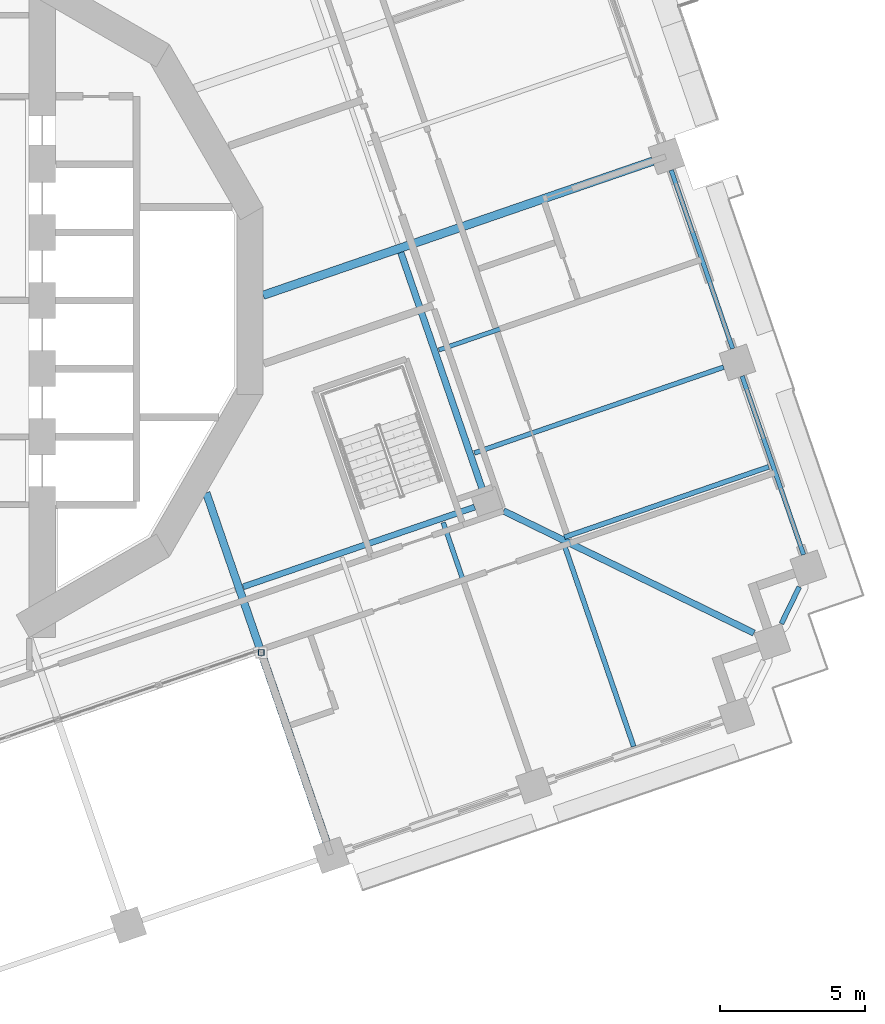
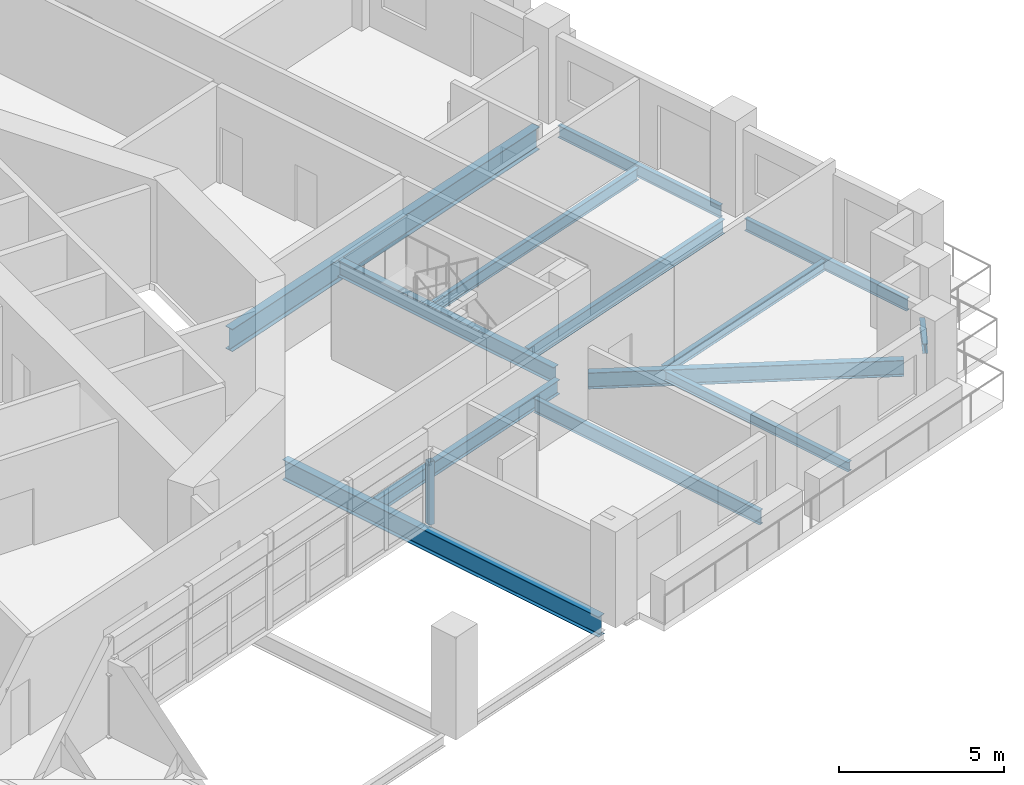
# One storey, part 5 of 22: 13 beams, 1 member.
"""IFC4 building model written with IfcOpenShell, lengths in metres."""

from ifc_helpers import new_model, si_unit, direction, frame, origin, origin_2d, place, context, subcontext, project, spatial, hollow_rectangle, i_section, extrude, material, material_profile, profile_set, type_object, element, save


model = new_model("IFC4")

# Units and contexts
model_context = context("Model", 3, precision=1e-05, world=origin(), true_north=direction((0.0, 1.0)))
body_context = subcontext(model_context, "Body", "Model", "MODEL_VIEW")
ifc_project = project(units=[si_unit("LENGTHUNIT", "METRE"), si_unit("AREAUNIT", "SQUARE_METRE"), si_unit("VOLUMEUNIT", "CUBIC_METRE"), si_unit("PLANEANGLEUNIT", "RADIAN"), si_unit("MASSUNIT", "GRAM", prefix="KILO")], contexts=[model_context])

# Site, building, storey
site_placement = place(None, origin())
site = spatial("IfcSite", under=ifc_project, at=site_placement, CompositionType="ELEMENT")
building_placement = place(site_placement, origin())
building = spatial("IfcBuilding", under=site, at=building_placement, Name="Cantera Rosa Tower", CompositionType="ELEMENT")
storey_placement = place(building_placement, frame((0.0, 0.0, 107.89990234375)))
storey = spatial("IfcBuildingStorey", under=building, at=storey_placement, Name="L21", CompositionType="ELEMENT", Elevation=107.89990234375)

# Member
ifc_material_1 = material(Name="Steel ASTM A992 (Fy 345 MPa)", Category="steel")
ifc_material_profile_1 = material_profile(ifc_material_1, hollow_rectangle(XDim=0.199951171875, YDim=0.199951171875, WallThickness=0.010009765625, at=origin_2d()), Name="LINTEL POST RHS 200x200x10")
ifc_profile_set_1 = profile_set([ifc_material_profile_1], Name="Steel ASTM A992 (Fy 345 MPa)")
member_type = type_object("IfcMemberType", Name="LINTEL POST RHS 200x200x10", PredefinedType="USERDEFINED", material=ifc_profile_set_1)
member_placement = place(storey_placement, frame((12.010498046875, -12.15185546875, 0.0), z_axis=(0.0, 0.0, 1.0), x_axis=(1.0, 0.0, 0.0)))
element("IfcMember", 1, at=member_placement, inside=storey, type_object=member_type, Name="LINTEL POST L21-2", ObjectType="LINTEL POST", PredefinedType="USERDEFINED", context=body_context, shape_type="SweptSolid", body=[
    extrude(hollow_rectangle(XDim=0.199951171875, YDim=0.199951171875, WallThickness=0.010009765625, at=origin_2d()), origin(), (0.0, 0.0, 1.0), 2.340087890625),
])

# Beams
ifc_material_2 = material(Name="Steel ASTM A992 (Fy 345 MPa)", Category="steel")
ifc_material_profile_2 = material_profile(ifc_material_2, i_section(OverallWidth=0.166015625, OverallDepth=0.528076171875, WebThickness=0.009765625, FlangeThickness=0.013671875, FilletRadius=0.0126953125, at=origin_2d()), Name="W530X74")
ifc_profile_set_2 = profile_set([ifc_material_profile_2], Name="Steel ASTM A992 (Fy 345 MPa)")
beam_type_1 = type_object("IfcBeamType", Name="STEEL BEAM W530X74", PredefinedType="BEAM", material=ifc_profile_set_2)
for number, where, z_axis, x_axis, name in (
    (2, (27.97216796875, -2.29833984375, -0.513916015625), (-0.94551971591, -0.325564842737, 0.0), (0.325564842737, -0.94551971591, 0.0), "G-Z2-01 L21"),
    (3, (21.25390625, -16.2666015625, -0.513916015625), (-0.325564842737, 0.94551971591, 0.0), (-0.94551971591, -0.325564842737, 0.0), "G-Z2-14 L21"),
):
    element("IfcBeam", number, at=place(storey_placement, frame(where, z_axis=z_axis, x_axis=x_axis)), inside=storey, type_object=beam_type_1, Name=name, PredefinedType="BEAM", context=body_context, shape_type="SweptSolid", body=[
        extrude(i_section(OverallWidth=0.166015625, OverallDepth=0.528076171875, WebThickness=0.009765625, FlangeThickness=0.013671875, FilletRadius=0.0126953125, at=origin_2d()), origin(), (0.0, 0.0, 1.0), 9.10009765625),
    ])
ifc_material_3 = material(Name="Steel ASTM A992 (Fy 345 MPa)", Category="steel")
ifc_material_profile_3 = material_profile(ifc_material_3, i_section(OverallWidth=0.208984375, OverallDepth=0.532958984375, WebThickness=0.01025390625, FlangeThickness=0.015625, FilletRadius=0.0126953125, at=origin_2d()), Name="W530X92")
ifc_profile_set_3 = profile_set([ifc_material_profile_3], Name="Steel ASTM A992 (Fy 345 MPa)")
beam_type_2 = type_object("IfcBeamType", Name="STEEL BEAM W530X92", PredefinedType="BEAM", material=ifc_profile_set_3)
beam_1_placement = place(storey_placement, frame((11.387451171875, -9.880859375, -0.516357421875), z_axis=(0.945519653071, 0.325565025235, 0.0), x_axis=(-0.325565025235, 0.945519653071, 0.0)))
element("IfcBeam", 4, at=beam_1_placement, inside=storey, type_object=beam_type_2, Name="RB-Z2-08 L21", PredefinedType="BEAM", context=body_context, shape_type="SweptSolid", body=[
    extrude(i_section(OverallWidth=0.208984375, OverallDepth=0.532958984375, WebThickness=0.01025390625, FlangeThickness=0.015625, FilletRadius=0.0126953125, at=origin_2d()), origin(), (0.0, 0.0, 1.0), 8.449951171875),
])
ifc_material_4 = material(Name="Steel ASTM A992 (Fy 345 MPa)", Category="steel")
ifc_material_profile_4 = material_profile(ifc_material_4, i_section(OverallWidth=0.22802734375, OverallDepth=0.60205078125, WebThickness=0.010498046875, FlangeThickness=0.014892578125, FilletRadius=0.0126953125, at=origin_2d()), Name="W610X101")
ifc_profile_set_4 = profile_set([ifc_material_profile_4], Name="Steel ASTM A992 (Fy 345 MPa)")
beam_type_3 = type_object("IfcBeamType", Name="STEEL BEAM W610X101", PredefinedType="BEAM", material=ifc_profile_set_4)
beam_2_placement = place(storey_placement, frame((29.017822265625, -11.47802734375, -0.55078125), z_axis=(-0.898796015179, 0.438367109965, 0.0), x_axis=(-0.438367109965, -0.898796015179, 0.0)))
element("IfcBeam", 5, at=beam_2_placement, inside=storey, type_object=beam_type_3, Name="CB-Z2-04 L21", PredefinedType="BEAM", context=body_context, shape_type="SweptSolid", body=[
    extrude(i_section(OverallWidth=0.22802734375, OverallDepth=0.60205078125, WebThickness=0.010498046875, FlangeThickness=0.014892578125, FilletRadius=0.0126953125, at=origin_2d()), origin(), (0.0, 0.0, 1.0), 9.616455078125),
])
beam_3_placement = place(storey_placement, frame((19.656005859375, -6.557861328125, -0.55078125), z_axis=(-0.325584584945, 0.945512917969, 0.0), x_axis=(-0.945512917969, -0.325584584945, 0.0)))
element("IfcBeam", 6, at=beam_3_placement, inside=storey, type_object=beam_type_3, Name="RB-Z2-09 L21", PredefinedType="BEAM", context=body_context, shape_type="SweptSolid", body=[
    extrude(i_section(OverallWidth=0.22802734375, OverallDepth=0.60205078125, WebThickness=0.010498046875, FlangeThickness=0.014892578125, FilletRadius=0.0126953125, at=origin_2d()), origin(), (0.0, 0.0, 1.0), 8.68994140625),
])
ifc_material_5 = material(Name="Steel ASTM A992 (Fy 345 MPa)", Category="steel")
ifc_material_profile_5 = material_profile(ifc_material_5, i_section(OverallWidth=0.26708984375, OverallDepth=0.75390625, WebThickness=0.01318359375, FlangeThickness=0.01708984375, FilletRadius=0.0166015625, at=origin_2d()), Name="W760X147")
ifc_profile_set_5 = profile_set([ifc_material_profile_5], Name="Steel ASTM A992 (Fy 345 MPa)")
beam_type_4 = type_object("IfcBeamType", Name="STEEL BEAM W760X147", PredefinedType="BEAM", material=ifc_profile_set_5)
beam_4_placement = place(storey_placement, frame((14.257080078125, -18.67578125, -0.626953125), z_axis=(-0.325575880476, 0.945515915282, 0.0), x_axis=(-0.945515915282, -0.325575880476, 0.0)))
element("IfcBeam", 7, at=beam_4_placement, inside=storey, type_object=beam_type_4, Name="G-Z2-13 L21", PredefinedType="BEAM", context=body_context, shape_type="SweptSolid", body=[
    extrude(i_section(OverallWidth=0.26708984375, OverallDepth=0.75390625, WebThickness=0.01318359375, FlangeThickness=0.01708984375, FilletRadius=0.0166015625, at=origin_2d()), origin(), (0.0, 0.0, 1.0), 12.734375),
])
ifc_material_6 = material(Name="Steel ASTM A992 (Fy 345 MPa)", Category="steel")
ifc_material_profile_6 = material_profile(ifc_material_6, i_section(OverallWidth=0.2919921875, OverallDepth=0.8359375, WebThickness=0.013916015625, FlangeThickness=0.018798828125, FilletRadius=0.017822265625, at=origin_2d()), Name="W840X176")
ifc_profile_set_6 = profile_set([ifc_material_profile_6], Name="Steel ASTM A992 (Fy 345 MPa)")
beam_type_5 = type_object("IfcBeamType", Name="STEEL BEAM W840X176", PredefinedType="BEAM", material=ifc_profile_set_6)
beam_5_placement = place(storey_placement, frame((25.52392578125, 4.81201171875, -0.66796875), z_axis=(-0.945515154884, -0.325578088765, 0.0), x_axis=(0.325578088765, -0.945515154884, 0.0)))
element("IfcBeam", 8, at=beam_5_placement, inside=storey, type_object=beam_type_5, Name="G-Z2-02 L21", PredefinedType="BEAM", context=body_context, shape_type="SweptSolid", body=[
    extrude(i_section(OverallWidth=0.2919921875, OverallDepth=0.8359375, WebThickness=0.013916015625, FlangeThickness=0.018798828125, FilletRadius=0.017822265625, at=origin_2d()), origin(), (0.0, 0.0, 1.0), 14.22509765625),
])
ifc_material_7 = material(Name="Steel ASTM A992 (Fy 345 MPa)", Category="steel")
ifc_material_profile_7 = material_profile(ifc_material_7, i_section(OverallWidth=0.1708984375, OverallDepth=0.35595703125, WebThickness=0.00732421875, FlangeThickness=0.01171875, FilletRadius=0.010009765625, at=origin_2d()), Name="W360X51")
ifc_profile_set_7 = profile_set([ifc_material_profile_7], Name="Steel ASTM A992 (Fy 345 MPa)")
beam_type_6 = type_object("IfcBeamType", Name="STEEL JOIST W360X51", PredefinedType="JOIST", material=ifc_profile_set_7)
beam_6_placement = place(storey_placement, frame((29.52734375, -5.739501953125, -0.427978515625), z_axis=(-0.945521732807, -0.325558985116, 0.0), x_axis=(0.325558985116, -0.945521732807, 0.0)))
element("IfcBeam", 9, at=beam_6_placement, inside=storey, type_object=beam_type_6, Name="B-Z2-01 L21", PredefinedType="JOIST", context=body_context, shape_type="SweptSolid", body=[
    extrude(i_section(OverallWidth=0.1708984375, OverallDepth=0.35595703125, WebThickness=0.00732421875, FlangeThickness=0.01171875, FilletRadius=0.010009765625, at=origin_2d()), origin(), (0.0, 0.0, 1.0), 7.460205078125),
])
beam_7_placement = place(storey_placement, frame((24.8662109375, -15.39306640625, -0.427978515625), z_axis=(-0.325565645331, 0.945519439557, 0.0), x_axis=(-0.945519439557, -0.325565645331, 0.0)))
element("IfcBeam", 10, at=beam_7_placement, inside=storey, type_object=beam_type_6, Name="B-Z2-17 L21", PredefinedType="JOIST", context=body_context, shape_type="SweptSolid", body=[
    extrude(i_section(OverallWidth=0.1708984375, OverallDepth=0.35595703125, WebThickness=0.00732421875, FlangeThickness=0.01171875, FilletRadius=0.010009765625, at=origin_2d()), origin(), (0.0, 0.0, 1.0), 7.39990234375),
])
ifc_material_8 = material(Name="Steel ASTM A992 (Fy 345 MPa)", Category="steel")
ifc_material_profile_8 = material_profile(ifc_material_8, i_section(OverallWidth=0.154052734375, OverallDepth=0.4599609375, WebThickness=0.009033203125, FlangeThickness=0.015380859375, FilletRadius=0.01025390625, at=origin_2d()), Name="W460X68")
ifc_profile_set_8 = profile_set([ifc_material_profile_8], Name="Steel ASTM A992 (Fy 345 MPa)")
beam_type_7 = type_object("IfcBeamType", Name="STEEL JOIST W460X68", PredefinedType="JOIST", material=ifc_profile_set_8)
beam_8_placement = place(storey_placement, frame((27.0791015625, 1.370849609375, -0.47998046875), z_axis=(-0.945518943957, -0.325567084667, 0.0), x_axis=(0.325567084667, -0.945518943957, 0.0)))
element("IfcBeam", 11, at=beam_8_placement, inside=storey, type_object=beam_type_7, Name="B-Z2-02 L21", PredefinedType="JOIST", context=body_context, shape_type="SweptSolid", body=[
    extrude(i_section(OverallWidth=0.154052734375, OverallDepth=0.4599609375, WebThickness=0.009033203125, FlangeThickness=0.015380859375, FilletRadius=0.01025390625, at=origin_2d()), origin(), (0.0, 0.0, 1.0), 9.4501953125),
])
ifc_material_9 = material(Name="Steel ASTM A992 (Fy 345 MPa)", Category="steel")
ifc_material_profile_9 = material_profile(ifc_material_9, i_section(OverallWidth=0.1708984375, OverallDepth=0.35595703125, WebThickness=0.00732421875, FlangeThickness=0.01171875, FilletRadius=0.010009765625, at=origin_2d()), Name="W360X51")
ifc_profile_set_9 = profile_set([ifc_material_profile_9], Name="Steel ASTM A992 (Fy 345 MPa)")
beam_type_8 = type_object("IfcBeamType", Name="STEEL SPANDREL BEAM W360X51", PredefinedType="SPANDREL", material=ifc_profile_set_9)
beam_9_placement = place(storey_placement, frame((29.96337890625, -11.152587890625, -0.427978515625), z_axis=(0.438284186308, 0.898836454552, 0.0), x_axis=(-0.898836454552, 0.438284186308, 0.0)))
element("IfcBeam", 12, at=beam_9_placement, inside=storey, type_object=beam_type_8, Name="EB-Z2-30 L21", PredefinedType="SPANDREL", context=body_context, shape_type="SweptSolid", body=[
    extrude(i_section(OverallWidth=0.1708984375, OverallDepth=0.35595703125, WebThickness=0.00732421875, FlangeThickness=0.01171875, FilletRadius=0.010009765625, at=origin_2d()), origin(), (0.0, 0.0, 1.0), 1.414306640625),
])
ifc_material_10 = material(Name="Steel ASTM A992 (Fy 345 MPa)", Category="steel")
ifc_material_profile_10 = material_profile(ifc_material_10, i_section(OverallWidth=0.154052734375, OverallDepth=0.4599609375, WebThickness=0.009033203125, FlangeThickness=0.015380859375, FilletRadius=0.01025390625, at=origin_2d()), Name="W460X68")
ifc_profile_set_10 = profile_set([ifc_material_profile_10], Name="Steel ASTM A992 (Fy 345 MPa)")
beam_type_9 = type_object("IfcBeamType", Name="STEEL SPANDREL BEAM W460X68", PredefinedType="SPANDREL", material=ifc_profile_set_10)
for number, where, z_axis, x_axis, name in (
    (13, (30.73046875, -8.773193359375, -0.47998046875), (-0.325580990241, 0.945514155787, 0.0), (-0.945514155787, -0.325580990241, 0.0), "EB-Z2-01 L21"),
    (14, (28.2822265625, -1.662841796875, -0.47998046875), (-0.325580990241, 0.945514155787, 0.0), (-0.945514155787, -0.325580990241, 0.0), "EB-Z2-02 L21"),
):
    element("IfcBeam", number, at=place(storey_placement, frame(where, z_axis=z_axis, x_axis=x_axis)), inside=storey, type_object=beam_type_9, Name=name, PredefinedType="SPANDREL", context=body_context, shape_type="SweptSolid", body=[
        extrude(i_section(OverallWidth=0.154052734375, OverallDepth=0.4599609375, WebThickness=0.009033203125, FlangeThickness=0.015380859375, FilletRadius=0.01025390625, at=origin_2d()), origin(), (0.0, 0.0, 1.0), 6.52001953125),
    ])

save(model, "model.ifc")
